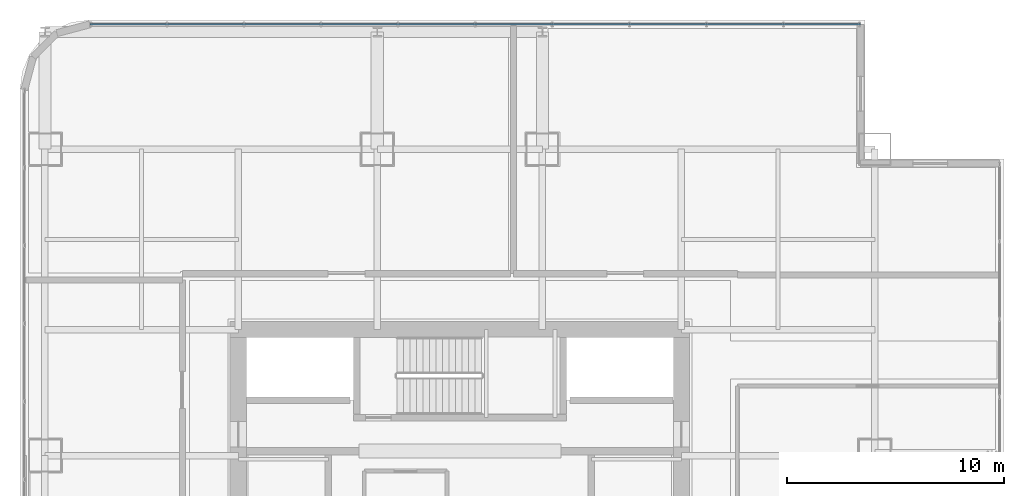
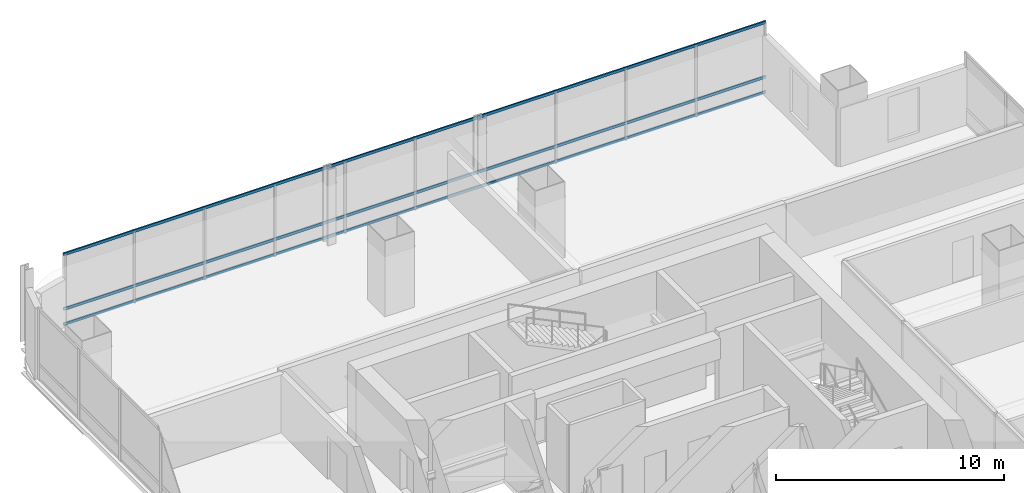
# One storey, part 23 of 35: 3 members, 1 element without a shape of its own.
"""IFC4 building model written with IfcOpenShell, lengths in metres."""

import ifcopenshell
import ifcopenshell.guid

model = None  # the IFC model being written
_history = None  # IfcOwnerHistory: only IFC2X3 demands one
_inside = {}  # id of a spatial element -> (the spatial element, [elements in it])
_under = {}  # id of a project, library or spatial element -> (it, [spatial elements below it])
_declared = {}  # id of a project -> (the project, [libraries it declares])
_typed = {}  # id of a type object -> (the type object, [elements of that type])
_made_of = {}  # id of a material, layer set ... -> (it, [elements and type objects made of it])


def new_model(schema):
    """Start an empty IFC model of exactly this schema.

    Asked for "IFC4X3", IfcOpenShell would pick the latest addendum, in which some entities
    have other attributes; the version numbers below select the first issue.
    IFC2X3 requires an IfcOwnerHistory on every rooted entity: one is made here for all.
    """
    global model, _history
    if schema == "IFC4X3":
        model = ifcopenshell.file(schema_version=(4, 3, 0, 0))
    else:
        model = ifcopenshell.file(schema=schema)
    _inside.clear()
    _under.clear()
    _declared.clear()
    _typed.clear()
    _made_of.clear()
    _history = None
    if model.schema == "IFC2X3":
        org = make("IfcOrganization", Name="unknown")
        user = make(
            "IfcPersonAndOrganization",
            ThePerson=make("IfcPerson", FamilyName="unknown"),
            TheOrganization=org,
        )
        app = make(
            "IfcApplication",
            ApplicationDeveloper=org,
            Version="unknown",
            ApplicationFullName="unknown",
            ApplicationIdentifier="unknown",
        )
        _history = make(
            "IfcOwnerHistory",
            OwningUser=user,
            OwningApplication=app,
            ChangeAction="ADDED",
            CreationDate=0,
        )
    return model


def make(cls, **values):
    """One entity of the class cls with the attributes given. An attribute that is None is left unset."""
    return model.create_entity(
        cls, **{name: value for name, value in values.items() if value is not None}
    )


def rooted(cls, **values):
    """An entity with a GlobalId (a new one), such as an element, a storey or a relation."""
    return make(cls, GlobalId=ifcopenshell.guid.new(), OwnerHistory=_history, **values)


def si_unit(unit_type, name, prefix=None):
    """IfcSIUnit, for example si_unit("LENGTHUNIT", "METRE", prefix="MILLI")."""
    return make("IfcSIUnit", UnitType=unit_type, Prefix=prefix, Name=name)


def assignment(units):
    """IfcUnitAssignment: the units of a project."""
    return None if units is None else make("IfcUnitAssignment", Units=units)


def point(xyz):
    """IfcCartesianPoint."""
    return None if xyz is None else make("IfcCartesianPoint", Coordinates=xyz)


def direction(xyz):
    """IfcDirection."""
    return None if xyz is None else make("IfcDirection", DirectionRatios=xyz)


def frame(location, z_axis=None, x_axis=None):
    """IfcAxis2Placement3D, a coordinate frame: its origin and axes. An axis left out is left unset."""
    return make(
        "IfcAxis2Placement3D",
        Location=point(location),
        Axis=direction(z_axis),
        RefDirection=direction(x_axis),
    )


def frame_2d(location, x_axis=None):
    """IfcAxis2Placement2D, a coordinate frame in the plane: its origin and x axis."""
    return make(
        "IfcAxis2Placement2D", Location=point(location), RefDirection=direction(x_axis)
    )


def origin():
    """The frame at (0, 0, 0) with its axes left unset."""
    return frame((0.0, 0.0, 0.0))


def origin_2d():
    """The frame at (0, 0) in the plane with its x axis left unset."""
    return frame_2d((0.0, 0.0))


def place(relative_to, where):
    """IfcLocalPlacement: puts the frame where relative to a parent placement (None: the world)."""
    return make(
        "IfcLocalPlacement", PlacementRelTo=relative_to, RelativePlacement=where
    )


def context(
    kind, dimensions, precision=None, world=None, true_north=None, identifier=None
):
    """IfcGeometricRepresentationContext, for example the 3D "Model" context."""
    return make(
        "IfcGeometricRepresentationContext",
        ContextIdentifier=identifier,
        ContextType=kind,
        CoordinateSpaceDimension=dimensions,
        Precision=precision,
        WorldCoordinateSystem=world,
        TrueNorth=true_north,
    )


def subcontext(parent, identifier, kind, view, scale=None):
    """IfcGeometricRepresentationSubContext, for example "Body" below "Model"."""
    return make(
        "IfcGeometricRepresentationSubContext",
        ContextIdentifier=identifier,
        ContextType=kind,
        ParentContext=parent,
        TargetScale=scale,
        TargetView=view,
    )


def project(units=None, contexts=None):
    """IfcProject with its units and contexts."""
    return rooted(
        "IfcProject",
        Name="project",
        RepresentationContexts=contexts,
        UnitsInContext=assignment(units),
    )


def spatial(cls, under=None, at=None, **own):
    """A site, building, storey or space (cls), placed at a placement, below another one or the project."""
    s = rooted(cls, ObjectPlacement=at, **own)
    if under is not None:
        _under.setdefault(under.id(), (under, []))[1].append(s)
    return s


def profile(cls, at=None, kind="AREA", **sizes):
    """A parametric profile (cls). Its sizes go by their IFC names, for example OverallWidth=200.0."""
    return make(cls, ProfileType=kind, Position=at, **sizes)


def hollow_rectangle(**sizes):
    """IfcRectangleHollowProfileDef."""
    return profile("IfcRectangleHollowProfileDef", **sizes)


def extrude(swept, where, along, depth):
    """IfcExtrudedAreaSolid: the profile swept, set in the frame where, extruded along a direction by depth."""
    return make(
        "IfcExtrudedAreaSolid",
        SweptArea=swept,
        Position=where,
        ExtrudedDirection=direction(along),
        Depth=depth,
    )


def shape(context_of_items, identifier, shape_type, items):
    """IfcShapeRepresentation: the items that make up one representation, for example the "Body"."""
    return make(
        "IfcShapeRepresentation",
        ContextOfItems=context_of_items,
        RepresentationIdentifier=identifier,
        RepresentationType=shape_type,
        Items=items,
    )


def material(Name=None, Category=None):
    """IfcMaterial."""
    return make("IfcMaterial", Name=Name, Category=Category)


def material_profile(
    of_material, cross_section, Name=None, Category=None, Priority=None
):
    """IfcMaterialProfile: a cross section and its material."""
    return make(
        "IfcMaterialProfile",
        Name=Name,
        Material=of_material,
        Profile=cross_section,
        Priority=Priority,
        Category=Category,
    )


def profile_set(profiles, Name=None, composite=None):
    """IfcMaterialProfileSet."""
    return make(
        "IfcMaterialProfileSet",
        Name=Name,
        MaterialProfiles=profiles,
        CompositeProfile=composite,
    )


def made_of(thing, what):
    """Note that an element or type object is made of a material, layer set ...; save() writes the relation."""
    if what is not None:
        _made_of.setdefault(what.id(), (what, []))[1].append(thing)
    return thing


def type_object(cls, material=None, **own):
    """A type object (cls), such as IfcWallType, which elements share."""
    return made_of(rooted(cls, **own), material)


def element(
    cls,
    number,
    at=None,
    inside=None,
    cuts=None,
    type_object=None,
    material=None,
    context=None,
    identifier="Body",
    shape_type=None,
    held_by="IfcProductDefinitionShape",
    body=None,
    shapes=None,
    **own,
):
    """One element of the class cls, such as IfcWall. Its Tag is "e" and its number.

    at: its placement. inside: the storey or other place that contains it. cuts: it is an
    opening in that element (IfcRelVoidsElement). A single representation is given by context,
    identifier, shape_type and body (its items); several are given by shapes. held_by: the class
    of the entity that holds the representations. save() writes the other relations.
    """
    e = rooted(cls, Tag="e%d" % number, ObjectPlacement=at, **own)
    if body is not None:
        shapes = [shape(context, identifier, shape_type, body)]
    if shapes is not None:
        e.Representation = make(held_by, Representations=shapes)
    if inside is not None:
        _inside.setdefault(inside.id(), (inside, []))[1].append(e)
    if cuts is not None:
        rooted(
            "IfcRelVoidsElement", RelatingBuildingElement=cuts, RelatedOpeningElement=e
        )
    if type_object is not None:
        _typed.setdefault(type_object.id(), (type_object, []))[1].append(e)
    return made_of(e, material)


def aggregate(whole, parts):
    """IfcRelAggregates: a whole, such as a stair, and the parts it consists of."""
    return rooted("IfcRelAggregates", RelatingObject=whole, RelatedObjects=parts)


def save(model, path):
    """Write the relations noted so far, then the file.

    IfcRelAggregates (storeys below a building ...), IfcRelContainedInSpatialStructure (elements
    in a storey), IfcRelDefinesByType, IfcRelAssociatesMaterial and IfcRelDeclares: one each for
    every whole, place, type object, material and project.
    """
    for whole, parts in _under.values():
        aggregate(whole, parts)
    for where, things in _inside.values():
        rooted(
            "IfcRelContainedInSpatialStructure",
            RelatedElements=things,
            RelatingStructure=where,
        )
    for kind, things in _typed.values():
        rooted("IfcRelDefinesByType", RelatedObjects=things, RelatingType=kind)
    for what, things in _made_of.values():
        rooted("IfcRelAssociatesMaterial", RelatedObjects=things, RelatingMaterial=what)
    for by, libraries in _declared.values():
        rooted("IfcRelDeclares", RelatingContext=by, RelatedDefinitions=libraries)
    model.write(path)


model = new_model("IFC4")

# Units and contexts
model_context = context("Model", 3, precision=1e-05, world=origin(), true_north=direction((0.0, 1.0)))
body_context = subcontext(model_context, "Body", "Model", "MODEL_VIEW")
ifc_project = project(units=[si_unit("LENGTHUNIT", "METRE"), si_unit("AREAUNIT", "SQUARE_METRE"), si_unit("VOLUMEUNIT", "CUBIC_METRE"), si_unit("PLANEANGLEUNIT", "RADIAN"), si_unit("MASSUNIT", "GRAM", prefix="KILO")], contexts=[model_context])

# Site, building, storey
site_placement = place(None, origin())
site = spatial("IfcSite", under=ifc_project, at=site_placement, CompositionType="ELEMENT")
building_placement = place(site_placement, origin())
building = spatial("IfcBuilding", under=site, at=building_placement, Name="Punatoya Terracotta Tower", CompositionType="ELEMENT")
storey_placement = place(building_placement, frame((0.0, 0.0, 113.25)))
storey = spatial("IfcBuildingStorey", under=building, at=storey_placement, Name="L26", CompositionType="ELEMENT", Elevation=113.25)

# Curtain wall, members
ifc_material_1 = material(Name="Aluminium 6063-T6 + Double Low-E Glass", Category="aluminium")
curtain_wall_type = type_object("IfcCurtainWallType", Name="CW-M1", PredefinedType="NOTDEFINED", material=ifc_material_1)
curtain_wall_placement = place(storey_placement, origin())
curtain_wall = element("IfcCurtainWall", 1, at=curtain_wall_placement, inside=storey, type_object=curtain_wall_type, Name="L26 Curtain Wall CW-L26-N08-1", PredefinedType="NOTDEFINED")
ifc_material_2 = material(Name="Aluminium 6063-T6", Category="aluminium")
ifc_material_profile = material_profile(ifc_material_2, hollow_rectangle(XDim=0.068115234375, YDim=0.14990234375, WallThickness=0.00390625, at=origin_2d()))
ifc_profile_set = profile_set([ifc_material_profile], Name="Aluminium 6063-T6")
member_type = type_object("IfcMemberType", Name="CW-TRN-TYP", PredefinedType="USERDEFINED", material=ifc_profile_set)
member_1_placement = place(storey_placement, frame((18.449951171875, 23.25, 0.0400390625), z_axis=(-1.0, 0.0, 0.0), x_axis=(0.0, -1.0, 0.0)))
member_1 = element("IfcMember", 2, at=member_1_placement, type_object=member_type, Name="CW-L26-N08-1 Transom 1", ObjectType="TRANSOM", PredefinedType="USERDEFINED", context=body_context, shape_type="SweptSolid", body=[
    extrude(hollow_rectangle(XDim=0.068115234375, YDim=0.14990234375, WallThickness=0.00390625, at=origin_2d()), origin(), (0.0, 0.0, 1.0), 35.48681640625),
])
member_2_placement = place(storey_placement, frame((18.449951171875, 23.25, 0.85009765625), z_axis=(-1.0, 0.0, 0.0), x_axis=(0.0, -1.0, 0.0)))
member_2 = element("IfcMember", 3, at=member_2_placement, type_object=member_type, Name="CW-L26-N08-1 Transom 2", ObjectType="TRANSOM", PredefinedType="USERDEFINED", context=body_context, shape_type="SweptSolid", body=[
    extrude(hollow_rectangle(XDim=0.068115234375, YDim=0.14990234375, WallThickness=0.00390625, at=origin_2d()), origin(), (0.0, 0.0, 1.0), 35.48681640625),
])
member_3_placement = place(storey_placement, frame((18.449951171875, 23.25, 3.77001953125), z_axis=(-1.0, 0.0, 0.0), x_axis=(0.0, -1.0, 0.0)))
member_3 = element("IfcMember", 4, at=member_3_placement, type_object=member_type, Name="CW-L26-N08-1 Transom 3", ObjectType="TRANSOM", PredefinedType="USERDEFINED", context=body_context, shape_type="SweptSolid", body=[
    extrude(hollow_rectangle(XDim=0.068115234375, YDim=0.14990234375, WallThickness=0.00390625, at=origin_2d()), origin(), (0.0, 0.0, 1.0), 35.48681640625),
])
aggregate(curtain_wall, [member_1, member_2, member_3])

save(model, "model.ifc")
